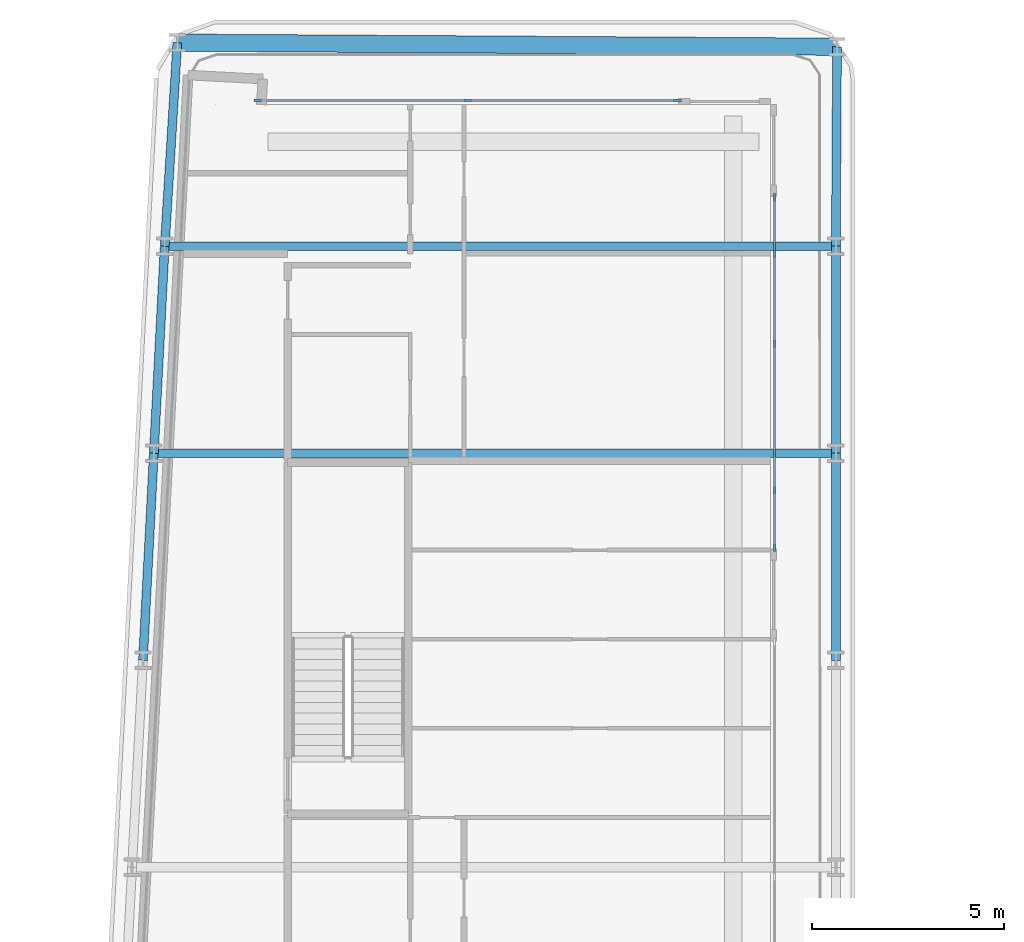
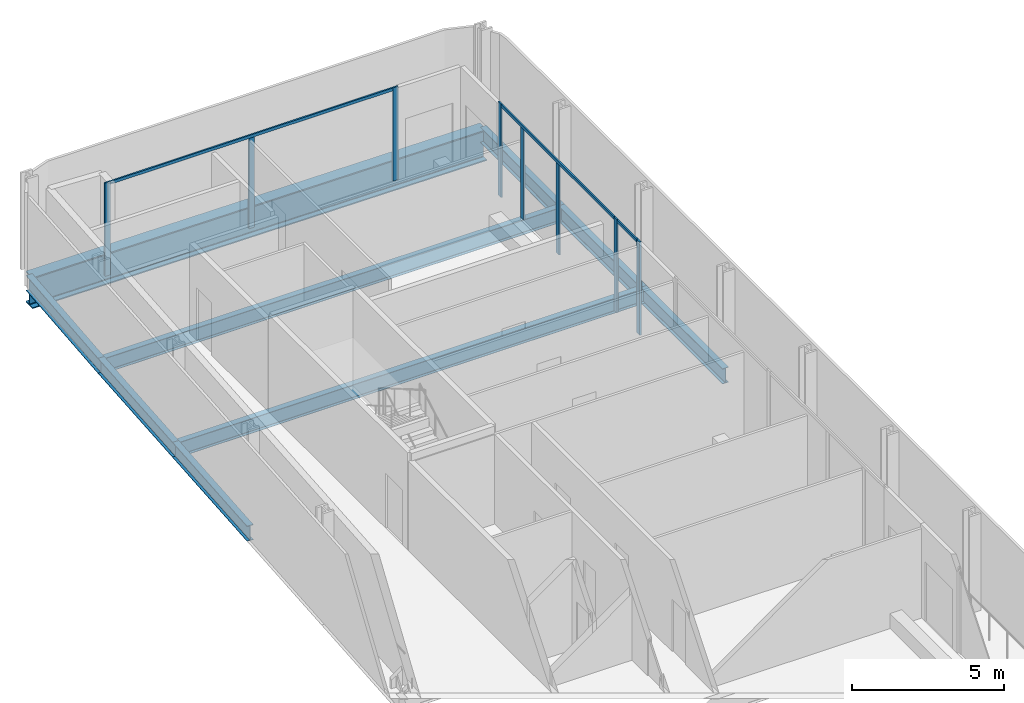
# One storey, part 9 of 29: 11 members, 9 beams, 3 elements without a shape of their own.
"""IFC4 building model written with IfcOpenShell, lengths in metres."""

from ifc_helpers import new_model, si_unit, direction, frame, origin, origin_2d, place, context, subcontext, project, spatial, rectangle, i_section, extrude, material, layer, layer_set, material_profile, profile_set, type_object, element, aggregate, save


model = new_model("IFC4")

# Units and contexts
model_context = context("Model", 3, precision=1e-05, world=origin(), true_north=direction((0.0, 1.0)))
body_context = subcontext(model_context, "Body", "Model", "MODEL_VIEW")
ifc_project = project(units=[si_unit("LENGTHUNIT", "METRE"), si_unit("AREAUNIT", "SQUARE_METRE"), si_unit("VOLUMEUNIT", "CUBIC_METRE"), si_unit("PLANEANGLEUNIT", "RADIAN"), si_unit("MASSUNIT", "GRAM", prefix="KILO")], contexts=[model_context])

# Site, building, storey
site_placement = place(None, origin())
site = spatial("IfcSite", under=ifc_project, at=site_placement, CompositionType="ELEMENT")
building_placement = place(site_placement, origin())
building = spatial("IfcBuilding", under=site, at=building_placement, Name="Kheshtan School and Residences Tower", CompositionType="ELEMENT")
storey_placement = place(building_placement, frame((0.0, 0.0, 65.60009765625)))
storey = spatial("IfcBuildingStorey", under=building, at=storey_placement, Name="L15", CompositionType="ELEMENT", Elevation=65.60009765625)

# Beams
ifc_material_1 = material(Name="Steel ASTM A992 Grade 50", Category="steel")
ifc_material_profile_1 = material_profile(ifc_material_1, i_section(OverallWidth=0.22802734375, OverallDepth=0.60302734375, WebThickness=0.010498046875, FlangeThickness=0.014892578125, FilletRadius=0.013427734375, at=origin_2d()), Name="W610x101")
ifc_profile_set_1 = profile_set([ifc_material_profile_1], Name="Steel ASTM A992 Grade 50")
beam_type_1 = type_object("IfcBeamType", Name="Beam FB5 W610x101 ASTM A992 Grade 50", PredefinedType="BEAM", material=ifc_profile_set_1)
beam_1_placement = place(storey_placement, frame((47.60009765625, 94.199951171875, -0.45166015625), z_axis=(-1.0, 0.0, 0.0), x_axis=(0.0, -1.0, 0.0)))
element("IfcBeam", 1, at=beam_1_placement, inside=storey, type_object=beam_type_1, Name="Floor beam C107", PredefinedType="BEAM", context=body_context, shape_type="SweptSolid", body=[
    extrude(i_section(OverallWidth=0.22802734375, OverallDepth=0.60302734375, WebThickness=0.010498046875, FlangeThickness=0.014892578125, FilletRadius=0.013427734375, at=origin_2d()), origin(), (0.0, 0.0, 1.0), 17.505126953125),
])
beam_2_placement = place(storey_placement, frame((29.81103515625, 88.800048828125, -0.45166015625), z_axis=(1.0, 0.0, 0.0), x_axis=(0.0, 1.0, 0.0)))
element("IfcBeam", 2, at=beam_2_placement, inside=storey, type_object=beam_type_1, Name="Floor beam C098", PredefinedType="BEAM", context=body_context, shape_type="SweptSolid", body=[
    extrude(i_section(OverallWidth=0.22802734375, OverallDepth=0.60302734375, WebThickness=0.010498046875, FlangeThickness=0.014892578125, FilletRadius=0.013427734375, at=origin_2d()), origin(), (0.0, 0.0, 1.0), 17.7890625),
])
ifc_material_profile_2 = material_profile(ifc_material_1, i_section(OverallWidth=0.22998046875, OverallDepth=0.616943359375, WebThickness=0.01318359375, FlangeThickness=0.022216796875, FilletRadius=0.0185546875, at=origin_2d()), Name="W610x140")
ifc_profile_set_2 = profile_set([ifc_material_profile_2], Name="Steel ASTM A992 Grade 50")
beam_type_2 = type_object("IfcBeamType", Name="Beam SP1 W610x140 ASTM A992 Grade 50", PredefinedType="BEAM", material=ifc_profile_set_2)
beam_3_placement = place(storey_placement, frame((47.6298828125, 99.402099609375, -0.45849609375), z_axis=(-0.005725455245, -0.999983609447, 0.0), x_axis=(0.999983609447, -0.005725455245, 0.0)))
element("IfcBeam", 3, at=beam_3_placement, inside=storey, type_object=beam_type_2, Name="Spandrel beam C113-C107", PredefinedType="BEAM", context=body_context, shape_type="SweptSolid", body=[
    extrude(i_section(OverallWidth=0.22998046875, OverallDepth=0.616943359375, WebThickness=0.01318359375, FlangeThickness=0.022216796875, FilletRadius=0.0185546875, at=origin_2d()), origin(), (0.0, 0.0, 1.0), 5.2021484375),
])
beam_4_placement = place(storey_placement, frame((47.60009765625, 94.199951171875, -0.45849609375), z_axis=(0.0, -1.0, 0.0), x_axis=(1.0, 0.0, 0.0)))
element("IfcBeam", 4, at=beam_4_placement, inside=storey, type_object=beam_type_2, Name="Spandrel beam C107-C099", PredefinedType="BEAM", context=body_context, shape_type="SweptSolid", body=[
    extrude(i_section(OverallWidth=0.22998046875, OverallDepth=0.616943359375, WebThickness=0.01318359375, FlangeThickness=0.022216796875, FilletRadius=0.0185546875, at=origin_2d()), origin(), (0.0, 0.0, 1.0), 5.39990234375),
])
beam_5_placement = place(storey_placement, frame((47.60009765625, 88.800048828125, -0.45849609375), z_axis=(0.0, -1.0, 0.0), x_axis=(1.0, 0.0, 0.0)))
element("IfcBeam", 5, at=beam_5_placement, inside=storey, type_object=beam_type_2, Name="Spandrel beam C099-C091", PredefinedType="BEAM", context=body_context, shape_type="SweptSolid", body=[
    extrude(i_section(OverallWidth=0.22998046875, OverallDepth=0.616943359375, WebThickness=0.01318359375, FlangeThickness=0.022216796875, FilletRadius=0.0185546875, at=origin_2d()), origin(), (0.0, 0.0, 1.0), 5.400146484375),
])
beam_6_placement = place(storey_placement, frame((29.527099609375, 83.39990234375, -0.45849609375), z_axis=(0.05250670125, 0.998620571751, 0.0), x_axis=(-0.998620571751, 0.05250670125, 0.0)))
element("IfcBeam", 6, at=beam_6_placement, inside=storey, type_object=beam_type_2, Name="Spandrel beam C090-C098", PredefinedType="BEAM", context=body_context, shape_type="SweptSolid", body=[
    extrude(i_section(OverallWidth=0.22998046875, OverallDepth=0.616943359375, WebThickness=0.01318359375, FlangeThickness=0.022216796875, FilletRadius=0.0185546875, at=origin_2d()), origin(), (0.0, 0.0, 1.0), 5.40771484375),
])
beam_7_placement = place(storey_placement, frame((29.81103515625, 88.800048828125, -0.45849609375), z_axis=(0.05250906864, 0.998620447272, 0.0), x_axis=(-0.998620447272, 0.05250906864, 0.0)))
element("IfcBeam", 7, at=beam_7_placement, inside=storey, type_object=beam_type_2, Name="Spandrel beam C098-C106", PredefinedType="BEAM", context=body_context, shape_type="SweptSolid", body=[
    extrude(i_section(OverallWidth=0.22998046875, OverallDepth=0.616943359375, WebThickness=0.01318359375, FlangeThickness=0.022216796875, FilletRadius=0.0185546875, at=origin_2d()), origin(), (0.0, 0.0, 1.0), 5.407470703125),
])
beam_8_placement = place(storey_placement, frame((30.094970703125, 94.199951171875, -0.45849609375), z_axis=(0.061858321816, 0.998084940284, 0.0), x_axis=(-0.998084940284, 0.061858321816, 0.0)))
element("IfcBeam", 8, at=beam_8_placement, inside=storey, type_object=beam_type_2, Name="Spandrel beam C106-C121", PredefinedType="BEAM", context=body_context, shape_type="SweptSolid", body=[
    extrude(i_section(OverallWidth=0.22998046875, OverallDepth=0.616943359375, WebThickness=0.01318359375, FlangeThickness=0.022216796875, FilletRadius=0.0185546875, at=origin_2d()), origin(), (0.0, 0.0, 1.0), 5.3203125),
])

# Curtain wall, members
ifc_material_2 = material(Name="Clear low-e glass in thermally broken aluminium frame", Category="aluminium")
ifc_layer = layer(ifc_material_2, 0.199951171875)
ifc_layer_set = layer_set([ifc_layer], Name="Curtain wall CW-L")
curtain_wall_type = type_object("IfcCurtainWallType", Name="Curtain wall CW-L", PredefinedType="NOTDEFINED", material=ifc_layer_set)
curtain_wall_1_placement = place(storey_placement, origin())
curtain_wall_1 = element("IfcCurtainWall", 9, at=curtain_wall_1_placement, inside=storey, type_object=curtain_wall_type, Name="Curtain wall CWL7", PredefinedType="NOTDEFINED")
ifc_material_3 = material(Name="Thermally broken aluminium, dark bronze anodised", Category="aluminium")
ifc_material_profile_3 = material_profile(ifc_material_3, rectangle(XDim=0.06005859375, YDim=0.199951171875, at=origin_2d()), Name="CW-L mullion 60x200")
ifc_profile_set_3 = profile_set([ifc_material_profile_3], Name="Thermally broken aluminium, dark bronze anodised")
member_type_1 = type_object("IfcMemberType", Name="CW-L mullion 60x200", PredefinedType="MULLION", material=ifc_profile_set_3)
member_1_placement = place(storey_placement, frame((32.52197265625, 98.0, 0.0), z_axis=(0.0, 0.0, 1.0), x_axis=(0.0, 1.0, 0.0)))
member_1 = element("IfcMember", 10, at=member_1_placement, type_object=member_type_1, Name="CWL7 mullion 1", PredefinedType="MULLION", context=body_context, shape_type="SweptSolid", body=[
    extrude(rectangle(XDim=0.06005859375, YDim=0.199951171875, at=origin_2d()), origin(), (0.0, 0.0, 1.0), 3.75),
])
member_2_placement = place(storey_placement, frame((37.99609375, 98.0, 0.0), z_axis=(0.0, 0.0, 1.0), x_axis=(0.0, 1.0, 0.0)))
member_2 = element("IfcMember", 11, at=member_2_placement, type_object=member_type_1, Name="CWL7 mullion 2", PredefinedType="MULLION", context=body_context, shape_type="SweptSolid", body=[
    extrude(rectangle(XDim=0.06005859375, YDim=0.199951171875, at=origin_2d()), origin(), (0.0, 0.0, 1.0), 3.6298828125),
])
member_3_placement = place(storey_placement, frame((43.469970703125, 98.0, 0.0), z_axis=(0.0, 0.0, 1.0), x_axis=(0.0, 1.0, 0.0)))
member_3 = element("IfcMember", 12, at=member_3_placement, type_object=member_type_1, Name="CWL7 mullion 3", PredefinedType="MULLION", context=body_context, shape_type="SweptSolid", body=[
    extrude(rectangle(XDim=0.06005859375, YDim=0.199951171875, at=origin_2d()), origin(), (0.0, 0.0, 1.0), 3.75),
])

curtain_wall_2_placement = place(storey_placement, origin())
curtain_wall_2 = element("IfcCurtainWall", 13, at=curtain_wall_2_placement, inside=storey, type_object=curtain_wall_type, Name="Curtain wall CWL8c", PredefinedType="NOTDEFINED")
member_4_placement = place(storey_placement, frame((46.0, 95.469970703125, 0.0), z_axis=(0.0, 0.0, 1.0), x_axis=(1.0, 0.0, 0.0)))
member_4 = element("IfcMember", 14, at=member_4_placement, type_object=member_type_1, Name="CWL8c mullion 1", PredefinedType="MULLION", context=body_context, shape_type="SweptSolid", body=[
    extrude(rectangle(XDim=0.06005859375, YDim=0.199951171875, at=origin_2d()), origin(), (0.0, 0.0, 1.0), 3.75),
])
member_5_placement = place(storey_placement, frame((46.0, 94.0, 0.0), z_axis=(0.0, 0.0, 1.0), x_axis=(1.0, 0.0, 0.0)))
member_5 = element("IfcMember", 15, at=member_5_placement, type_object=member_type_1, Name="CWL8c mullion 2", PredefinedType="MULLION", context=body_context, shape_type="SweptSolid", body=[
    extrude(rectangle(XDim=0.06005859375, YDim=0.199951171875, at=origin_2d()), origin(), (0.0, 0.0, 1.0), 3.6298828125),
])
member_6_placement = place(storey_placement, frame((46.0, 91.653076171875, 0.0), z_axis=(0.0, 0.0, 1.0), x_axis=(1.0, 0.0, 0.0)))
member_6 = element("IfcMember", 16, at=member_6_placement, type_object=member_type_1, Name="CWL8c mullion 3", PredefinedType="MULLION", context=body_context, shape_type="SweptSolid", body=[
    extrude(rectangle(XDim=0.06005859375, YDim=0.199951171875, at=origin_2d()), origin(), (0.0, 0.0, 1.0), 3.6298828125),
])
member_7_placement = place(storey_placement, frame((46.0, 87.8359375, 0.0), z_axis=(0.0, 0.0, 1.0), x_axis=(1.0, 0.0, 0.0)))
member_7 = element("IfcMember", 17, at=member_7_placement, type_object=member_type_1, Name="CWL8c mullion 4", PredefinedType="MULLION", context=body_context, shape_type="SweptSolid", body=[
    extrude(rectangle(XDim=0.06005859375, YDim=0.199951171875, at=origin_2d()), origin(), (0.0, 0.0, 1.0), 3.75),
])

# Curtain wall, member
curtain_wall_3_placement = place(storey_placement, origin())
curtain_wall_3 = element("IfcCurtainWall", 18, at=curtain_wall_3_placement, inside=storey, type_object=curtain_wall_type, Name="Curtain wall CWL8a", PredefinedType="NOTDEFINED")
member_8_placement = place(storey_placement, frame((46.0, 86.3359375, 0.0), z_axis=(0.0, 0.0, 1.0), x_axis=(1.0, 0.0, 0.0)))
member_8 = element("IfcMember", 19, at=member_8_placement, type_object=member_type_1, Name="CWL8a mullion 2", PredefinedType="MULLION", context=body_context, shape_type="SweptSolid", body=[
    extrude(rectangle(XDim=0.06005859375, YDim=0.199951171875, at=origin_2d()), origin(), (0.0, 0.0, 1.0), 3.75),
])

# Member
ifc_material_profile_4 = material_profile(ifc_material_3, rectangle(XDim=0.06005859375, YDim=0.1201171875, at=origin_2d()), Name="CW-L transom 60x120")
ifc_profile_set_4 = profile_set([ifc_material_profile_4], Name="Thermally broken aluminium, dark bronze anodised")
member_type_2 = type_object("IfcMemberType", Name="CW-L transom 60x120", PredefinedType="USERDEFINED", material=ifc_profile_set_4)
member_9_placement = place(storey_placement, frame((32.552001953125, 98.0, 3.68994140625), z_axis=(1.0, 0.0, 0.0), x_axis=(0.0, 1.0, 0.0)))
member_9 = element("IfcMember", 20, at=member_9_placement, type_object=member_type_2, Name="CWL7 transom 1", ObjectType="TRANSOM", PredefinedType="USERDEFINED", context=body_context, shape_type="SweptSolid", body=[
    extrude(rectangle(XDim=0.06005859375, YDim=0.1201171875, at=origin_2d()), origin(), (0.0, 0.0, 1.0), 10.887939453125),
])

aggregate(curtain_wall_1, [member_1, member_2, member_3, member_9])

member_10_placement = place(storey_placement, frame((46.0, 95.43994140625, 3.68994140625), z_axis=(0.0, -1.0, 0.0), x_axis=(1.0, 0.0, 0.0)))
member_10 = element("IfcMember", 21, at=member_10_placement, type_object=member_type_2, Name="CWL8c transom 1", ObjectType="TRANSOM", PredefinedType="USERDEFINED", context=body_context, shape_type="SweptSolid", body=[
    extrude(rectangle(XDim=0.06005859375, YDim=0.1201171875, at=origin_2d()), origin(), (0.0, 0.0, 1.0), 7.573974609375),
])

aggregate(curtain_wall_2, [member_4, member_5, member_6, member_7, member_10])

member_11_placement = place(storey_placement, frame((46.0, 87.805908203125, 3.68994140625), z_axis=(0.0, -1.0, 0.0), x_axis=(1.0, 0.0, 0.0)))
member_11 = element("IfcMember", 22, at=member_11_placement, type_object=member_type_2, Name="CWL8a transom 1", ObjectType="TRANSOM", PredefinedType="USERDEFINED", context=body_context, shape_type="SweptSolid", body=[
    extrude(rectangle(XDim=0.06005859375, YDim=0.1201171875, at=origin_2d()), origin(), (0.0, 0.0, 1.0), 1.43994140625),
])

aggregate(curtain_wall_3, [member_8, member_11])

# Beam
ifc_material_profile_5 = material_profile(ifc_material_1, i_section(OverallWidth=0.449951171875, OverallDepth=1.25, WebThickness=0.02490234375, FlangeThickness=0.044921875, FilletRadius=0.03759765625, at=origin_2d()), Name="WWF1250x546")
ifc_profile_set_5 = profile_set([ifc_material_profile_5], Name="Steel ASTM A992 Grade 50")
beam_type_3 = type_object("IfcBeamType", Name="Transfer girder TG4 WWF1250x546 ASTM A992 Grade 50", PredefinedType="BEAM", material=ifc_profile_set_5)
beam_9_placement = place(storey_placement, frame((30.424072265625, 99.510009765625, -0.775146484375), z_axis=(0.999980333297, -0.006271604219, 0.0), x_axis=(0.006271604219, 0.999980333297, 0.0)))
element("IfcBeam", 23, at=beam_9_placement, inside=storey, type_object=beam_type_3, Name="Transfer girder C121-C113", PredefinedType="BEAM", context=body_context, shape_type="SweptSolid", body=[
    extrude(i_section(OverallWidth=0.449951171875, OverallDepth=1.25, WebThickness=0.02490234375, FlangeThickness=0.044921875, FilletRadius=0.03759765625, at=origin_2d()), origin(), (0.0, 0.0, 1.0), 17.2060546875),
])

save(model, "model.ifc")
